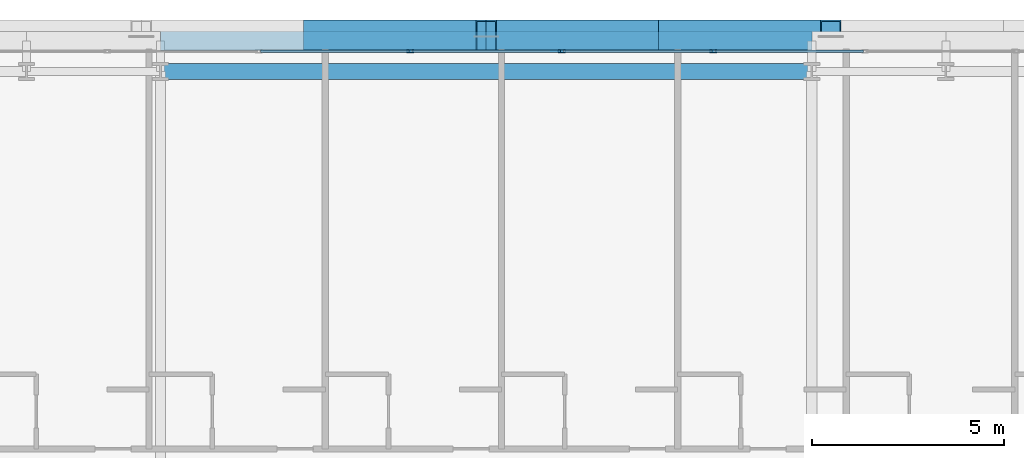
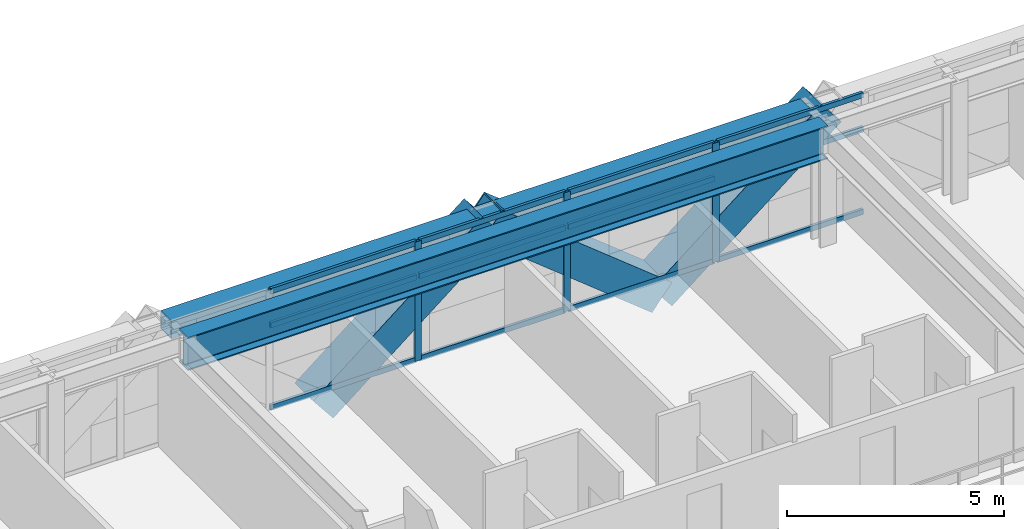
# One storey, part 22 of 41: 18 members, 2 beams, 1 element without a shape of its own.
"""IFC4 building model written with IfcOpenShell, lengths in metres."""

from ifc_helpers import new_model, si_unit, direction, frame, origin, origin_2d, place, context, subcontext, project, spatial, hollow_rectangle, i_section, extrude, source, transform, mapped, material, layer, layer_set, material_profile, profile_set, type_object, element, aggregate, save


model = new_model("IFC4")

# Units and contexts
model_context = context("Model", 3, precision=1e-05, world=origin(), true_north=direction((0.0, 1.0)))
body_context = subcontext(model_context, "Body", "Model", "MODEL_VIEW")
ifc_project = project(units=[si_unit("LENGTHUNIT", "METRE"), si_unit("AREAUNIT", "SQUARE_METRE"), si_unit("VOLUMEUNIT", "CUBIC_METRE"), si_unit("PLANEANGLEUNIT", "RADIAN"), si_unit("MASSUNIT", "GRAM", prefix="KILO")], contexts=[model_context])

# Site, building, storey
site_placement = place(None, origin())
site = spatial("IfcSite", under=ifc_project, at=site_placement, CompositionType="ELEMENT")
building_placement = place(site_placement, origin())
building = spatial("IfcBuilding", under=site, at=building_placement, Name="Ocotamira Hotel", CompositionType="ELEMENT")
storey_placement = place(building_placement, frame((0.0, 0.0, 38.39990234375)))
storey = spatial("IfcBuildingStorey", under=building, at=storey_placement, Name="L08", CompositionType="ELEMENT", Elevation=38.39990234375)

# Beams
ifc_material_1 = material(Name="Steel ASTM A992 Grade 50", Category="steel")
ifc_material_profile_1 = material_profile(ifc_material_1, i_section(OverallWidth=0.41796875, OverallDepth=0.927001953125, WebThickness=0.019287109375, FlangeThickness=0.031982421875, FilletRadius=0.02392578125, at=origin_2d()), Name="W36X231")
ifc_profile_set_1 = profile_set([ifc_material_profile_1], Name="Steel ASTM A992 Grade 50")
beam_type_1 = type_object("IfcBeamType", Name="BM-GIRD-W36X231", PredefinedType="BEAM", material=ifc_profile_set_1)
shared_shape_1 = source(origin(), body_context, "Body", "SweptSolid", [
    extrude(i_section(OverallWidth=0.41796875, OverallDepth=0.927001953125, WebThickness=0.019287109375, FlangeThickness=0.031982421875, FilletRadius=0.02392578125, at=origin_2d()), origin(), (0.0, 0.0, 1.0), 17.0),
])
beam_1_placement = place(storey_placement, frame((23.5, 49.050048828125, 2.88671875), z_axis=(1.0, 0.0, 0.0), x_axis=(0.0, 1.0, 0.0)))
element("IfcBeam", 1, at=beam_1_placement, inside=storey, type_object=beam_type_1, Name="L08 Girder Y49.05 X23.5-40.5", PredefinedType="BEAM", context=body_context, shape_type="MappedRepresentation", body=[
    mapped(shared_shape_1, transform((0.0, 0.0, 0.0), scale=1.0)),
])
ifc_material_2 = material(Name="Steel ASTM A500 Grade C", Category="steel")
ifc_material_profile_2 = material_profile(ifc_material_2, hollow_rectangle(XDim=0.5, YDim=0.5, WallThickness=0.02001953125, at=origin_2d()), Name="HSS500X500X20")
ifc_profile_set_2 = profile_set([ifc_material_profile_2], Name="Steel ASTM A500 Grade C")
beam_type_2 = type_object("IfcBeamType", Name="BM-SPAN-HSS500", PredefinedType="USERDEFINED", material=ifc_profile_set_2)
shared_shape_2 = source(origin(), body_context, "Body", "SweptSolid", [
    extrude(hollow_rectangle(XDim=0.5, YDim=0.5, WallThickness=0.02001953125, at=origin_2d()), origin(), (0.0, 0.0, 1.0), 17.0),
])
beam_2_placement = place(storey_placement, frame((23.5, 49.85009765625, 3.10009765625), z_axis=(1.0, 0.0, 0.0), x_axis=(0.0, 1.0, 0.0)))
element("IfcBeam", 2, at=beam_2_placement, inside=storey, type_object=beam_type_2, Name="L08 Edge Spandrel N X23.5-40.5", ObjectType="SPANDREL", PredefinedType="USERDEFINED", context=body_context, shape_type="MappedRepresentation", body=[
    mapped(shared_shape_2, transform((0.0, 0.0, 0.0), scale=1.0)),
])

# Members
ifc_material_3 = material(Name="Pale-metal coated steel ASTM A913 Grade 65", Category="steel")
ifc_material_profile_3 = material_profile(ifc_material_3, hollow_rectangle(XDim=0.85009765625, YDim=0.85009765625, WallThickness=0.035888671875, at=origin_2d()), Name="BOX850X850X36")
ifc_profile_set_3 = profile_set([ifc_material_profile_3], Name="Pale-metal coated steel ASTM A913 Grade 65")
member_type_1 = type_object("IfcMemberType", Name="MEM-EXO-BOX850", PredefinedType="BRACE", material=ifc_profile_set_3)
shared_shape_3 = source(origin(), body_context, "Body", "SweptSolid", [
    extrude(hollow_rectangle(XDim=0.85009765625, YDim=0.85009765625, WallThickness=0.035888671875, at=origin_2d()), origin(), (0.0, 0.0, 1.0), 5.762939453125),
])
for number, where, z_axis, x_axis, name in (
    (3, (27.5, 49.969970703125, -0.5), (0.780860543151, 0.0, 0.624705380279), (0.0, 1.0, 0.0), "L08 Exoskeleton Diagrid N1.2"),
    (4, (36.5, 49.969970703125, -0.5), (-0.780860543151, 0.0, 0.624705380279), (0.0, -1.0, 0.0), "L08 Exoskeleton Diagrid N2.1"),
    (5, (36.5, 49.969970703125, -0.5), (0.780860543151, 0.0, 0.624705380279), (0.0, 1.0, 0.0), "L08 Exoskeleton Diagrid N2.2"),
):
    element("IfcMember", number, at=place(storey_placement, frame(where, z_axis=z_axis, x_axis=x_axis)), inside=storey, type_object=member_type_1, Name=name, PredefinedType="BRACE", context=body_context, shape_type="MappedRepresentation", body=[
        mapped(shared_shape_3, transform((0.0, 0.0, 0.0), scale=1.0)),
    ])

# Curtain wall, members
ifc_material_4 = material(Name="Anodised pale-metal aluminium and solar glass", Category="aluminium")
ifc_layer = layer(ifc_material_4, 0.179931640625)
ifc_layer_set = layer_set([ifc_layer], Name="Anodised pale-metal aluminium and solar glass")
curtain_wall_type = type_object("IfcCurtainWallType", Name="CW-SYS2-Z1", PredefinedType="NOTDEFINED", material=ifc_layer_set)
curtain_wall_placement = place(storey_placement, origin())
curtain_wall = element("IfcCurtainWall", 6, at=curtain_wall_placement, inside=storey, type_object=curtain_wall_type, Name="L08 Curtain Wall CW-2 CW-L08-N", PredefinedType="NOTDEFINED")
ifc_material_5 = material(Name="Anodised pale-metal aluminium 6063-T6", Category="aluminium")
ifc_material_profile_4 = material_profile(ifc_material_5, hollow_rectangle(XDim=0.074951171875, YDim=0.14990234375, WallThickness=0.006103515625, at=origin_2d()), Name="HSS150X75X6")
ifc_profile_set_4 = profile_set([ifc_material_profile_4], Name="Anodised pale-metal aluminium 6063-T6")
member_type_2 = type_object("IfcMemberType", Name="CWT-150X75", PredefinedType="USERDEFINED", material=ifc_profile_set_4)
shared_shape_4 = source(origin(), body_context, "Body", "SweptSolid", [
    extrude(hollow_rectangle(XDim=0.074951171875, YDim=0.14990234375, WallThickness=0.006103515625, at=origin_2d()), origin(), (0.0, 0.0, 1.0), 3.87548828125),
])
member_1_placement = place(storey_placement, frame((26.106689453125, 49.580078125, 0.03759765625), z_axis=(1.0, 0.0, 0.0), x_axis=(0.0, 1.0, 0.0)))
member_1 = element("IfcMember", 7, at=member_1_placement, type_object=member_type_2, Name="CW-2 transom 4.1", ObjectType="TRANSOM", PredefinedType="USERDEFINED", context=body_context, shape_type="MappedRepresentation", body=[
    mapped(shared_shape_4, transform((0.0, 0.0, 0.0), scale=1.0)),
])
member_2_placement = place(storey_placement, frame((26.106689453125, 49.580078125, 2.35009765625), z_axis=(1.0, 0.0, 0.0), x_axis=(0.0, 1.0, 0.0)))
member_2 = element("IfcMember", 8, at=member_2_placement, type_object=member_type_2, Name="CW-2 transom 4.2", ObjectType="TRANSOM", PredefinedType="USERDEFINED", context=body_context, shape_type="MappedRepresentation", body=[
    mapped(shared_shape_4, transform((0.0, 0.0, 0.0), scale=1.0)),
])
member_3_placement = place(storey_placement, frame((26.106689453125, 49.580078125, 3.3125), z_axis=(1.0, 0.0, 0.0), x_axis=(0.0, 1.0, 0.0)))
member_3 = element("IfcMember", 9, at=member_3_placement, type_object=member_type_2, Name="CW-2 transom 4.3", ObjectType="TRANSOM", PredefinedType="USERDEFINED", context=body_context, shape_type="MappedRepresentation", body=[
    mapped(shared_shape_4, transform((0.0, 0.0, 0.0), scale=1.0)),
])
member_4_placement = place(storey_placement, frame((30.062255859375, 49.580078125, 0.03759765625), z_axis=(1.0, 0.0, 0.0), x_axis=(0.0, 1.0, 0.0)))
member_4 = element("IfcMember", 10, at=member_4_placement, type_object=member_type_2, Name="CW-2 transom 5.1", ObjectType="TRANSOM", PredefinedType="USERDEFINED", context=body_context, shape_type="MappedRepresentation", body=[
    mapped(shared_shape_4, transform((0.0, 0.0, 0.0), scale=1.0)),
])
member_5_placement = place(storey_placement, frame((30.062255859375, 49.580078125, 2.35009765625), z_axis=(1.0, 0.0, 0.0), x_axis=(0.0, 1.0, 0.0)))
member_5 = element("IfcMember", 11, at=member_5_placement, type_object=member_type_2, Name="CW-2 transom 5.2", ObjectType="TRANSOM", PredefinedType="USERDEFINED", context=body_context, shape_type="MappedRepresentation", body=[
    mapped(shared_shape_4, transform((0.0, 0.0, 0.0), scale=1.0)),
])
member_6_placement = place(storey_placement, frame((30.062255859375, 49.580078125, 3.3125), z_axis=(1.0, 0.0, 0.0), x_axis=(0.0, 1.0, 0.0)))
member_6 = element("IfcMember", 12, at=member_6_placement, type_object=member_type_2, Name="CW-2 transom 5.3", ObjectType="TRANSOM", PredefinedType="USERDEFINED", context=body_context, shape_type="MappedRepresentation", body=[
    mapped(shared_shape_4, transform((0.0, 0.0, 0.0), scale=1.0)),
])
member_7_placement = place(storey_placement, frame((34.017822265625, 49.580078125, 0.03759765625), z_axis=(1.0, 0.0, 0.0), x_axis=(0.0, 1.0, 0.0)))
member_7 = element("IfcMember", 13, at=member_7_placement, type_object=member_type_2, Name="CW-2 transom 6.1", ObjectType="TRANSOM", PredefinedType="USERDEFINED", context=body_context, shape_type="MappedRepresentation", body=[
    mapped(shared_shape_4, transform((0.0, 0.0, 0.0), scale=1.0)),
])
member_8_placement = place(storey_placement, frame((34.017822265625, 49.580078125, 2.35009765625), z_axis=(1.0, 0.0, 0.0), x_axis=(0.0, 1.0, 0.0)))
member_8 = element("IfcMember", 14, at=member_8_placement, type_object=member_type_2, Name="CW-2 transom 6.2", ObjectType="TRANSOM", PredefinedType="USERDEFINED", context=body_context, shape_type="MappedRepresentation", body=[
    mapped(shared_shape_4, transform((0.0, 0.0, 0.0), scale=1.0)),
])
member_9_placement = place(storey_placement, frame((34.017822265625, 49.580078125, 3.3125), z_axis=(1.0, 0.0, 0.0), x_axis=(0.0, 1.0, 0.0)))
member_9 = element("IfcMember", 15, at=member_9_placement, type_object=member_type_2, Name="CW-2 transom 6.3", ObjectType="TRANSOM", PredefinedType="USERDEFINED", context=body_context, shape_type="MappedRepresentation", body=[
    mapped(shared_shape_4, transform((0.0, 0.0, 0.0), scale=1.0)),
])
member_10_placement = place(storey_placement, frame((37.973388671875, 49.580078125, 0.03759765625), z_axis=(1.0, 0.0, 0.0), x_axis=(0.0, 1.0, 0.0)))
member_10 = element("IfcMember", 16, at=member_10_placement, type_object=member_type_2, Name="CW-2 transom 7.1", ObjectType="TRANSOM", PredefinedType="USERDEFINED", context=body_context, shape_type="MappedRepresentation", body=[
    mapped(shared_shape_4, transform((0.0, 0.0, 0.0), scale=1.0)),
])
member_11_placement = place(storey_placement, frame((37.973388671875, 49.580078125, 2.35009765625), z_axis=(1.0, 0.0, 0.0), x_axis=(0.0, 1.0, 0.0)))
member_11 = element("IfcMember", 17, at=member_11_placement, type_object=member_type_2, Name="CW-2 transom 7.2", ObjectType="TRANSOM", PredefinedType="USERDEFINED", context=body_context, shape_type="MappedRepresentation", body=[
    mapped(shared_shape_4, transform((0.0, 0.0, 0.0), scale=1.0)),
])
member_12_placement = place(storey_placement, frame((37.973388671875, 49.580078125, 3.3125), z_axis=(1.0, 0.0, 0.0), x_axis=(0.0, 1.0, 0.0)))
member_12 = element("IfcMember", 18, at=member_12_placement, type_object=member_type_2, Name="CW-2 transom 7.3", ObjectType="TRANSOM", PredefinedType="USERDEFINED", context=body_context, shape_type="MappedRepresentation", body=[
    mapped(shared_shape_4, transform((0.0, 0.0, 0.0), scale=1.0)),
])
ifc_material_profile_5 = material_profile(ifc_material_5, hollow_rectangle(XDim=0.080078125, YDim=0.179931640625, WallThickness=0.006103515625, at=origin_2d()), Name="HSS180X80X6")
ifc_profile_set_5 = profile_set([ifc_material_profile_5], Name="Anodised pale-metal aluminium 6063-T6")
member_type_3 = type_object("IfcMemberType", Name="CWM-180X75", PredefinedType="MULLION", material=ifc_profile_set_5)
shared_shape_5 = source(origin(), body_context, "Body", "SweptSolid", [
    extrude(hollow_rectangle(XDim=0.080078125, YDim=0.179931640625, WallThickness=0.006103515625, at=origin_2d()), origin(), (0.0, 0.0, 1.0), 3.35009765625),
])
member_13_placement = place(storey_placement, frame((30.022216796875, 49.580078125, 0.0), z_axis=(0.0, 0.0, 1.0), x_axis=(0.0, 1.0, 0.0)))
member_13 = element("IfcMember", 19, at=member_13_placement, type_object=member_type_3, Name="CW-2 mullion 5", PredefinedType="MULLION", context=body_context, shape_type="MappedRepresentation", body=[
    mapped(shared_shape_5, transform((0.0, 0.0, 0.0), scale=1.0)),
])
member_14_placement = place(storey_placement, frame((33.977783203125, 49.580078125, 0.0), z_axis=(0.0, 0.0, 1.0), x_axis=(0.0, 1.0, 0.0)))
member_14 = element("IfcMember", 20, at=member_14_placement, type_object=member_type_3, Name="CW-2 mullion 6", PredefinedType="MULLION", context=body_context, shape_type="MappedRepresentation", body=[
    mapped(shared_shape_5, transform((0.0, 0.0, 0.0), scale=1.0)),
])
member_15_placement = place(storey_placement, frame((37.933349609375, 49.580078125, 0.0), z_axis=(0.0, 0.0, 1.0), x_axis=(0.0, 1.0, 0.0)))
member_15 = element("IfcMember", 21, at=member_15_placement, type_object=member_type_3, Name="CW-2 mullion 7", PredefinedType="MULLION", context=body_context, shape_type="MappedRepresentation", body=[
    mapped(shared_shape_5, transform((0.0, 0.0, 0.0), scale=1.0)),
])
aggregate(curtain_wall, [member_13, member_14, member_15, member_1, member_2, member_3, member_4, member_5, member_6, member_7, member_8, member_9, member_10, member_11, member_12])

save(model, "model.ifc")
